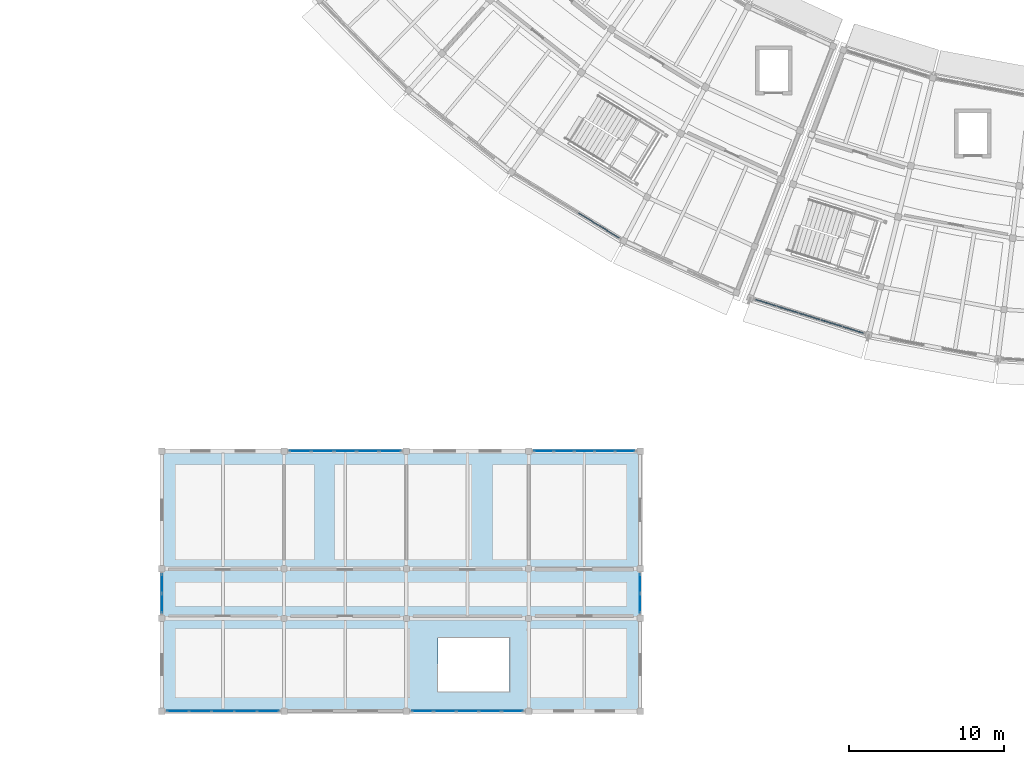
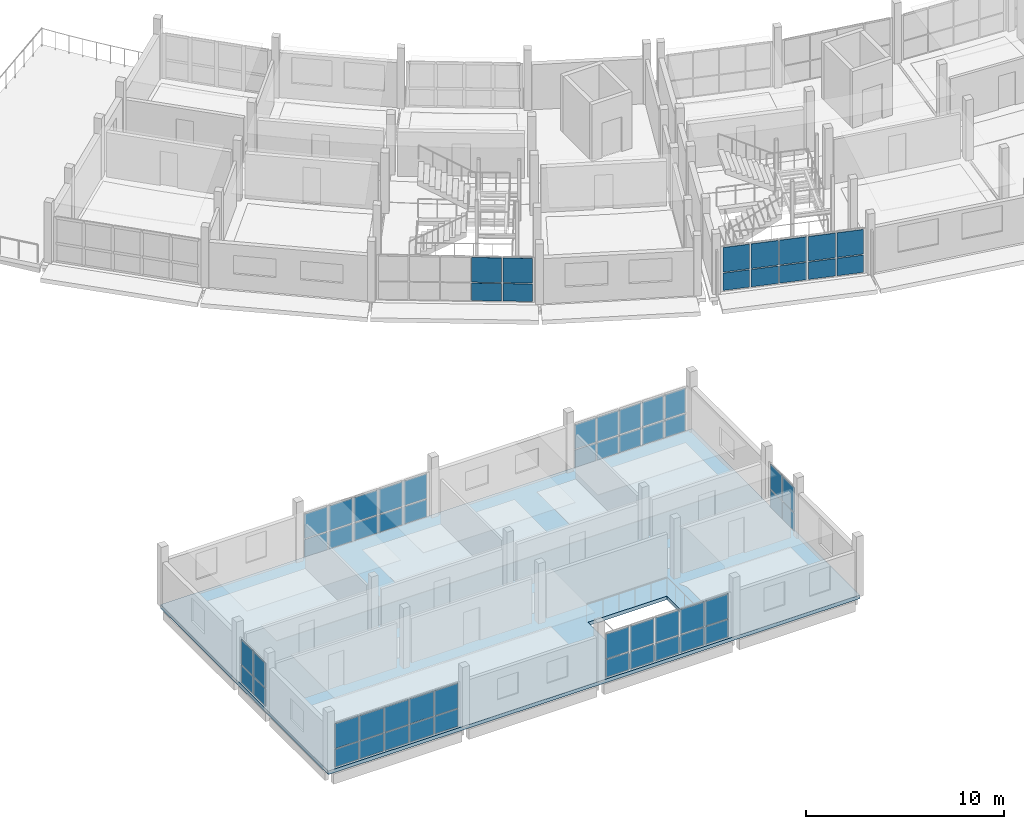
# One storey, part 41 of 66: 62 plates, 1 slab, 8 elements without a shape of their own.
"""IFC4 building model written with IfcOpenShell, lengths in metres."""

from ifc_helpers import new_model, si_unit, direction, frame, origin, origin_2d, place, context, subcontext, project, spatial, polyline, rectangle, outline, extrude, material, layer, layer_set, type_object, element, aggregate, save


model = new_model("IFC4")

# Units and contexts
model_context = context("Model", 3, precision=1e-05, world=origin(), true_north=direction((0.0, 1.0)))
body_context = subcontext(model_context, "Body", "Model", "MODEL_VIEW")
ifc_project = project(units=[si_unit("LENGTHUNIT", "METRE"), si_unit("AREAUNIT", "SQUARE_METRE"), si_unit("VOLUMEUNIT", "CUBIC_METRE"), si_unit("PLANEANGLEUNIT", "RADIAN"), si_unit("MASSUNIT", "GRAM", prefix="KILO")], contexts=[model_context])

# Site, building, storey
site_placement = place(None, origin())
site = spatial("IfcSite", under=ifc_project, at=site_placement, CompositionType="ELEMENT")
building_placement = place(site_placement, origin())
building = spatial("IfcBuilding", under=site, at=building_placement, Name="Caldaven Crescent School", CompositionType="ELEMENT")
storey_placement = place(building_placement, frame((0.0, 0.0, 8.159912109375)))
storey = spatial("IfcBuildingStorey", under=building, at=storey_placement, Name="L02", CompositionType="ELEMENT", Elevation=8.159912109375)

# Curtain wall, plates
ifc_material_1 = material(Name="Anodised aluminium AA 6063-T6 and low-E double glazing", Category="aluminium")
ifc_layer_1 = layer(ifc_material_1, 0.169921875)
ifc_layer_set_1 = layer_set([ifc_layer_1], Name="Anodised aluminium AA 6063-T6 and low-E double glazing")
curtain_wall_type_1 = type_object("IfcCurtainWallType", Name="CW-SYS1", PredefinedType="NOTDEFINED", material=ifc_layer_set_1)
curtain_wall_1_placement = place(storey_placement, origin())
curtain_wall_1 = element("IfcCurtainWall", 1, at=curtain_wall_1_placement, inside=storey, type_object=curtain_wall_type_1, Name="CW-L02-099", PredefinedType="NOTDEFINED")
ifc_material_2 = material(Name="Tempered low-E double glazing IGU", Category="glass")
ifc_layer_2 = layer(ifc_material_2, 0.031982421875)
ifc_layer_set_2 = layer_set([ifc_layer_2], Name="Tempered low-E double glazing IGU")
plate_type_1 = type_object("IfcPlateType", Name="PLT-CWP04", PredefinedType="CURTAIN_PANEL", material=ifc_layer_set_2)
plate_1_placement = place(storey_placement, frame((26.544921875, 4.199951171875, 0.06005859375), z_axis=(0.0, 0.0, 1.0), x_axis=(1.0, 0.0, 0.0)))
plate_1 = element("IfcPlate", 2, at=plate_1_placement, type_object=plate_type_1, Name="CW1 panel 1.1", PredefinedType="CURTAIN_PANEL", context=body_context, shape_type="SweptSolid", body=[
    extrude(rectangle(XDim=1.3701171875, YDim=0.031982421875, at=origin_2d()), origin(), (0.0, 0.0, 1.0), 1.077880859375),
])
plate_2_placement = place(storey_placement, frame((26.544921875, 4.199951171875, 1.197998046875), z_axis=(0.0, 0.0, 1.0), x_axis=(1.0, 0.0, 0.0)))
plate_2 = element("IfcPlate", 3, at=plate_2_placement, type_object=plate_type_1, Name="CW1 panel 1.2", PredefinedType="CURTAIN_PANEL", context=body_context, shape_type="SweptSolid", body=[
    extrude(rectangle(XDim=1.3701171875, YDim=0.031982421875, at=origin_2d()), origin(), (0.0, 0.0, 1.0), 1.52197265625),
])
plate_3_placement = place(storey_placement, frame((27.989990234375, 4.199951171875, 0.06005859375), z_axis=(0.0, 0.0, 1.0), x_axis=(1.0, 0.0, 0.0)))
plate_3 = element("IfcPlate", 4, at=plate_3_placement, type_object=plate_type_1, Name="CW1 panel 2.1", PredefinedType="CURTAIN_PANEL", context=body_context, shape_type="SweptSolid", body=[
    extrude(rectangle(XDim=1.39990234375, YDim=0.031982421875, at=origin_2d()), origin(), (0.0, 0.0, 1.0), 1.077880859375),
])
plate_4_placement = place(storey_placement, frame((27.989990234375, 4.199951171875, 1.197998046875), z_axis=(0.0, 0.0, 1.0), x_axis=(1.0, 0.0, 0.0)))
plate_4 = element("IfcPlate", 5, at=plate_4_placement, type_object=plate_type_1, Name="CW1 panel 2.2", PredefinedType="CURTAIN_PANEL", context=body_context, shape_type="SweptSolid", body=[
    extrude(rectangle(XDim=1.39990234375, YDim=0.031982421875, at=origin_2d()), origin(), (0.0, 0.0, 1.0), 1.52197265625),
])
plate_5_placement = place(storey_placement, frame((29.449951171875, 4.199951171875, 0.06005859375), z_axis=(0.0, 0.0, 1.0), x_axis=(1.0, 0.0, 0.0)))
plate_5 = element("IfcPlate", 6, at=plate_5_placement, type_object=plate_type_1, Name="CW1 panel 3.1", PredefinedType="CURTAIN_PANEL", context=body_context, shape_type="SweptSolid", body=[
    extrude(rectangle(XDim=1.39990234375, YDim=0.031982421875, at=origin_2d()), origin(), (0.0, 0.0, 1.0), 1.077880859375),
])
plate_6_placement = place(storey_placement, frame((29.449951171875, 4.199951171875, 1.197998046875), z_axis=(0.0, 0.0, 1.0), x_axis=(1.0, 0.0, 0.0)))
plate_6 = element("IfcPlate", 7, at=plate_6_placement, type_object=plate_type_1, Name="CW1 panel 3.2", PredefinedType="CURTAIN_PANEL", context=body_context, shape_type="SweptSolid", body=[
    extrude(rectangle(XDim=1.39990234375, YDim=0.031982421875, at=origin_2d()), origin(), (0.0, 0.0, 1.0), 1.52197265625),
])
plate_7_placement = place(storey_placement, frame((30.909912109375, 4.199951171875, 0.06005859375), z_axis=(0.0, 0.0, 1.0), x_axis=(1.0, 0.0, 0.0)))
plate_7 = element("IfcPlate", 8, at=plate_7_placement, type_object=plate_type_1, Name="CW1 panel 4.1", PredefinedType="CURTAIN_PANEL", context=body_context, shape_type="SweptSolid", body=[
    extrude(rectangle(XDim=1.39990234375, YDim=0.031982421875, at=origin_2d()), origin(), (0.0, 0.0, 1.0), 1.077880859375),
])
plate_8_placement = place(storey_placement, frame((30.909912109375, 4.199951171875, 1.197998046875), z_axis=(0.0, 0.0, 1.0), x_axis=(1.0, 0.0, 0.0)))
plate_8 = element("IfcPlate", 9, at=plate_8_placement, type_object=plate_type_1, Name="CW1 panel 4.2", PredefinedType="CURTAIN_PANEL", context=body_context, shape_type="SweptSolid", body=[
    extrude(rectangle(XDim=1.39990234375, YDim=0.031982421875, at=origin_2d()), origin(), (0.0, 0.0, 1.0), 1.52197265625),
])
plate_9_placement = place(storey_placement, frame((32.35498046875, 4.199951171875, 0.06005859375), z_axis=(0.0, 0.0, 1.0), x_axis=(1.0, 0.0, 0.0)))
plate_9 = element("IfcPlate", 10, at=plate_9_placement, type_object=plate_type_1, Name="CW1 panel 5.1", PredefinedType="CURTAIN_PANEL", context=body_context, shape_type="SweptSolid", body=[
    extrude(rectangle(XDim=1.3701171875, YDim=0.031982421875, at=origin_2d()), origin(), (0.0, 0.0, 1.0), 1.077880859375),
])
plate_10_placement = place(storey_placement, frame((32.35498046875, 4.199951171875, 1.197998046875), z_axis=(0.0, 0.0, 1.0), x_axis=(1.0, 0.0, 0.0)))
plate_10 = element("IfcPlate", 11, at=plate_10_placement, type_object=plate_type_1, Name="CW1 panel 5.2", PredefinedType="CURTAIN_PANEL", context=body_context, shape_type="SweptSolid", body=[
    extrude(rectangle(XDim=1.3701171875, YDim=0.031982421875, at=origin_2d()), origin(), (0.0, 0.0, 1.0), 1.52197265625),
])
aggregate(curtain_wall_1, [plate_1, plate_2, plate_3, plate_4, plate_5, plate_6, plate_7, plate_8, plate_9, plate_10])

ifc_layer_3 = layer(ifc_material_1, 0.2099609375)
ifc_layer_set_3 = layer_set([ifc_layer_3], Name="Anodised aluminium AA 6063-T6 and low-E double glazing")
curtain_wall_type_2 = type_object("IfcCurtainWallType", Name="CW-SYS3", PredefinedType="NOTDEFINED", material=ifc_layer_set_3)
curtain_wall_2_placement = place(storey_placement, origin())
curtain_wall_2 = element("IfcCurtainWall", 12, at=curtain_wall_2_placement, inside=storey, type_object=curtain_wall_type_2, Name="CW-L02-100", PredefinedType="NOTDEFINED")
ifc_layer_4 = layer(ifc_material_2, 0.033935546875)
ifc_layer_set_4 = layer_set([ifc_layer_4], Name="Tempered low-E double glazing IGU")
plate_type_2 = type_object("IfcPlateType", Name="PLT-CWP05", PredefinedType="CURTAIN_PANEL", material=ifc_layer_set_4)
plate_11_placement = place(storey_placement, frame((42.347412109375, 4.199951171875, 0.06494140625), z_axis=(0.0, 0.0, 1.0), x_axis=(1.0, 0.0, 0.0)))
plate_11 = element("IfcPlate", 13, at=plate_11_placement, type_object=plate_type_2, Name="CW3 panel 1.1", PredefinedType="CURTAIN_PANEL", context=body_context, shape_type="SweptSolid", body=[
    extrude(rectangle(XDim=1.35498046875, YDim=0.033935546875, at=origin_2d()), origin(), (0.0, 0.0, 1.0), 1.070556640625),
])
plate_12_placement = place(storey_placement, frame((42.347412109375, 4.199951171875, 1.20068359375), z_axis=(0.0, 0.0, 1.0), x_axis=(1.0, 0.0, 0.0)))
plate_12 = element("IfcPlate", 14, at=plate_12_placement, type_object=plate_type_2, Name="CW3 panel 1.2", PredefinedType="CURTAIN_PANEL", context=body_context, shape_type="SweptSolid", body=[
    extrude(rectangle(XDim=1.35498046875, YDim=0.033935546875, at=origin_2d()), origin(), (0.0, 0.0, 1.0), 1.514404296875),
])
plate_13_placement = place(storey_placement, frame((43.7900390625, 4.199951171875, 0.06494140625), z_axis=(0.0, 0.0, 1.0), x_axis=(1.0, 0.0, 0.0)))
plate_13 = element("IfcPlate", 15, at=plate_13_placement, type_object=plate_type_2, Name="CW3 panel 2.1", PredefinedType="CURTAIN_PANEL", context=body_context, shape_type="SweptSolid", body=[
    extrude(rectangle(XDim=1.389892578125, YDim=0.033935546875, at=origin_2d()), origin(), (0.0, 0.0, 1.0), 1.070556640625),
])
plate_14_placement = place(storey_placement, frame((43.7900390625, 4.199951171875, 1.20068359375), z_axis=(0.0, 0.0, 1.0), x_axis=(1.0, 0.0, 0.0)))
plate_14 = element("IfcPlate", 16, at=plate_14_placement, type_object=plate_type_2, Name="CW3 panel 2.2", PredefinedType="CURTAIN_PANEL", context=body_context, shape_type="SweptSolid", body=[
    extrude(rectangle(XDim=1.389892578125, YDim=0.033935546875, at=origin_2d()), origin(), (0.0, 0.0, 1.0), 1.514404296875),
])
plate_15_placement = place(storey_placement, frame((45.25, 4.199951171875, 0.06494140625), z_axis=(0.0, 0.0, 1.0), x_axis=(1.0, 0.0, 0.0)))
plate_15 = element("IfcPlate", 17, at=plate_15_placement, type_object=plate_type_2, Name="CW3 panel 3.1", PredefinedType="CURTAIN_PANEL", context=body_context, shape_type="SweptSolid", body=[
    extrude(rectangle(XDim=1.389892578125, YDim=0.033935546875, at=origin_2d()), origin(), (0.0, 0.0, 1.0), 1.070556640625),
])
plate_16_placement = place(storey_placement, frame((45.25, 4.199951171875, 1.20068359375), z_axis=(0.0, 0.0, 1.0), x_axis=(1.0, 0.0, 0.0)))
plate_16 = element("IfcPlate", 18, at=plate_16_placement, type_object=plate_type_2, Name="CW3 panel 3.2", PredefinedType="CURTAIN_PANEL", context=body_context, shape_type="SweptSolid", body=[
    extrude(rectangle(XDim=1.389892578125, YDim=0.033935546875, at=origin_2d()), origin(), (0.0, 0.0, 1.0), 1.514404296875),
])
plate_17_placement = place(storey_placement, frame((46.7099609375, 4.199951171875, 0.06494140625), z_axis=(0.0, 0.0, 1.0), x_axis=(1.0, 0.0, 0.0)))
plate_17 = element("IfcPlate", 19, at=plate_17_placement, type_object=plate_type_2, Name="CW3 panel 4.1", PredefinedType="CURTAIN_PANEL", context=body_context, shape_type="SweptSolid", body=[
    extrude(rectangle(XDim=1.389892578125, YDim=0.033935546875, at=origin_2d()), origin(), (0.0, 0.0, 1.0), 1.070556640625),
])
plate_18_placement = place(storey_placement, frame((46.7099609375, 4.199951171875, 1.20068359375), z_axis=(0.0, 0.0, 1.0), x_axis=(1.0, 0.0, 0.0)))
plate_18 = element("IfcPlate", 20, at=plate_18_placement, type_object=plate_type_2, Name="CW3 panel 4.2", PredefinedType="CURTAIN_PANEL", context=body_context, shape_type="SweptSolid", body=[
    extrude(rectangle(XDim=1.389892578125, YDim=0.033935546875, at=origin_2d()), origin(), (0.0, 0.0, 1.0), 1.514404296875),
])
plate_19_placement = place(storey_placement, frame((48.152587890625, 4.199951171875, 0.06494140625), z_axis=(0.0, 0.0, 1.0), x_axis=(1.0, 0.0, 0.0)))
plate_19 = element("IfcPlate", 21, at=plate_19_placement, type_object=plate_type_2, Name="CW3 panel 5.1", PredefinedType="CURTAIN_PANEL", context=body_context, shape_type="SweptSolid", body=[
    extrude(rectangle(XDim=1.35498046875, YDim=0.033935546875, at=origin_2d()), origin(), (0.0, 0.0, 1.0), 1.070556640625),
])
plate_20_placement = place(storey_placement, frame((48.152587890625, 4.199951171875, 1.20068359375), z_axis=(0.0, 0.0, 1.0), x_axis=(1.0, 0.0, 0.0)))
plate_20 = element("IfcPlate", 22, at=plate_20_placement, type_object=plate_type_2, Name="CW3 panel 5.2", PredefinedType="CURTAIN_PANEL", context=body_context, shape_type="SweptSolid", body=[
    extrude(rectangle(XDim=1.35498046875, YDim=0.033935546875, at=origin_2d()), origin(), (0.0, 0.0, 1.0), 1.514404296875),
])
aggregate(curtain_wall_2, [plate_11, plate_12, plate_13, plate_14, plate_15, plate_16, plate_17, plate_18, plate_19, plate_20])

curtain_wall_3_placement = place(storey_placement, origin())
curtain_wall_3 = element("IfcCurtainWall", 23, at=curtain_wall_3_placement, inside=storey, type_object=curtain_wall_type_2, Name="CW-L02-101", PredefinedType="NOTDEFINED")
ifc_layer_5 = layer(ifc_material_2, 0.035888671875)
ifc_layer_set_5 = layer_set([ifc_layer_5], Name="Tempered low-E double glazing IGU")
plate_type_3 = type_object("IfcPlateType", Name="PLT-CWP06", PredefinedType="CURTAIN_PANEL", material=ifc_layer_set_5)
plate_21_placement = place(storey_placement, frame((34.447509765625, 21.0, 0.06494140625), z_axis=(0.0, 0.0, 1.0), x_axis=(1.0, 0.0, 0.0)))
plate_21 = element("IfcPlate", 24, at=plate_21_placement, type_object=plate_type_3, Name="CW3 panel 1.1", PredefinedType="CURTAIN_PANEL", context=body_context, shape_type="SweptSolid", body=[
    extrude(rectangle(XDim=1.35498046875, YDim=0.035888671875, at=origin_2d()), origin(), (0.0, 0.0, 1.0), 1.070556640625),
])
plate_22_placement = place(storey_placement, frame((34.447509765625, 21.0, 1.20068359375), z_axis=(0.0, 0.0, 1.0), x_axis=(1.0, 0.0, 0.0)))
plate_22 = element("IfcPlate", 25, at=plate_22_placement, type_object=plate_type_3, Name="CW3 panel 1.2", PredefinedType="CURTAIN_PANEL", context=body_context, shape_type="SweptSolid", body=[
    extrude(rectangle(XDim=1.35498046875, YDim=0.035888671875, at=origin_2d()), origin(), (0.0, 0.0, 1.0), 1.514404296875),
])
plate_23_placement = place(storey_placement, frame((35.889892578125, 21.0, 0.06494140625), z_axis=(0.0, 0.0, 1.0), x_axis=(1.0, 0.0, 0.0)))
plate_23 = element("IfcPlate", 26, at=plate_23_placement, type_object=plate_type_3, Name="CW3 panel 2.1", PredefinedType="CURTAIN_PANEL", context=body_context, shape_type="SweptSolid", body=[
    extrude(rectangle(XDim=1.389892578125, YDim=0.035888671875, at=origin_2d()), origin(), (0.0, 0.0, 1.0), 1.070556640625),
])
plate_24_placement = place(storey_placement, frame((35.889892578125, 21.0, 1.20068359375), z_axis=(0.0, 0.0, 1.0), x_axis=(1.0, 0.0, 0.0)))
plate_24 = element("IfcPlate", 27, at=plate_24_placement, type_object=plate_type_3, Name="CW3 panel 2.2", PredefinedType="CURTAIN_PANEL", context=body_context, shape_type="SweptSolid", body=[
    extrude(rectangle(XDim=1.389892578125, YDim=0.035888671875, at=origin_2d()), origin(), (0.0, 0.0, 1.0), 1.514404296875),
])
plate_25_placement = place(storey_placement, frame((37.35009765625, 21.0, 0.06494140625), z_axis=(0.0, 0.0, 1.0), x_axis=(1.0, 0.0, 0.0)))
plate_25 = element("IfcPlate", 28, at=plate_25_placement, type_object=plate_type_3, Name="CW3 panel 3.1", PredefinedType="CURTAIN_PANEL", context=body_context, shape_type="SweptSolid", body=[
    extrude(rectangle(XDim=1.389892578125, YDim=0.035888671875, at=origin_2d()), origin(), (0.0, 0.0, 1.0), 1.070556640625),
])
plate_26_placement = place(storey_placement, frame((37.35009765625, 21.0, 1.20068359375), z_axis=(0.0, 0.0, 1.0), x_axis=(1.0, 0.0, 0.0)))
plate_26 = element("IfcPlate", 29, at=plate_26_placement, type_object=plate_type_3, Name="CW3 panel 3.2", PredefinedType="CURTAIN_PANEL", context=body_context, shape_type="SweptSolid", body=[
    extrude(rectangle(XDim=1.389892578125, YDim=0.035888671875, at=origin_2d()), origin(), (0.0, 0.0, 1.0), 1.514404296875),
])
plate_27_placement = place(storey_placement, frame((38.81005859375, 21.0, 0.06494140625), z_axis=(0.0, 0.0, 1.0), x_axis=(1.0, 0.0, 0.0)))
plate_27 = element("IfcPlate", 30, at=plate_27_placement, type_object=plate_type_3, Name="CW3 panel 4.1", PredefinedType="CURTAIN_PANEL", context=body_context, shape_type="SweptSolid", body=[
    extrude(rectangle(XDim=1.389892578125, YDim=0.035888671875, at=origin_2d()), origin(), (0.0, 0.0, 1.0), 1.070556640625),
])
plate_28_placement = place(storey_placement, frame((38.81005859375, 21.0, 1.20068359375), z_axis=(0.0, 0.0, 1.0), x_axis=(1.0, 0.0, 0.0)))
plate_28 = element("IfcPlate", 31, at=plate_28_placement, type_object=plate_type_3, Name="CW3 panel 4.2", PredefinedType="CURTAIN_PANEL", context=body_context, shape_type="SweptSolid", body=[
    extrude(rectangle(XDim=1.389892578125, YDim=0.035888671875, at=origin_2d()), origin(), (0.0, 0.0, 1.0), 1.514404296875),
])
plate_29_placement = place(storey_placement, frame((40.25244140625, 21.0, 0.06494140625), z_axis=(0.0, 0.0, 1.0), x_axis=(1.0, 0.0, 0.0)))
plate_29 = element("IfcPlate", 32, at=plate_29_placement, type_object=plate_type_3, Name="CW3 panel 5.1", PredefinedType="CURTAIN_PANEL", context=body_context, shape_type="SweptSolid", body=[
    extrude(rectangle(XDim=1.35498046875, YDim=0.035888671875, at=origin_2d()), origin(), (0.0, 0.0, 1.0), 1.070556640625),
])
plate_30_placement = place(storey_placement, frame((40.25244140625, 21.0, 1.20068359375), z_axis=(0.0, 0.0, 1.0), x_axis=(1.0, 0.0, 0.0)))
plate_30 = element("IfcPlate", 33, at=plate_30_placement, type_object=plate_type_3, Name="CW3 panel 5.2", PredefinedType="CURTAIN_PANEL", context=body_context, shape_type="SweptSolid", body=[
    extrude(rectangle(XDim=1.35498046875, YDim=0.035888671875, at=origin_2d()), origin(), (0.0, 0.0, 1.0), 1.514404296875),
])
aggregate(curtain_wall_3, [plate_21, plate_22, plate_23, plate_24, plate_25, plate_26, plate_27, plate_28, plate_29, plate_30])

curtain_wall_4_placement = place(storey_placement, origin())
curtain_wall_4 = element("IfcCurtainWall", 34, at=curtain_wall_4_placement, inside=storey, type_object=curtain_wall_type_1, Name="CW-L02-102", PredefinedType="NOTDEFINED")
ifc_layer_6 = layer(ifc_material_2, 0.0380859375)
ifc_layer_set_6 = layer_set([ifc_layer_6], Name="Tempered low-E double glazing IGU")
plate_type_4 = type_object("IfcPlateType", Name="PLT-CWP07", PredefinedType="CURTAIN_PANEL", material=ifc_layer_set_6)
plate_31_placement = place(storey_placement, frame((50.17626953125, 21.0, 0.070068359375), z_axis=(0.0, 0.0, 1.0), x_axis=(1.0, 0.0, 0.0)))
plate_31 = element("IfcPlate", 35, at=plate_31_placement, type_object=plate_type_4, Name="CW1 panel 1.1", PredefinedType="CURTAIN_PANEL", context=body_context, shape_type="SweptSolid", body=[
    extrude(rectangle(XDim=1.222412109375, YDim=0.0380859375, at=origin_2d()), origin(), (0.0, 0.0, 1.0), 1.06298828125),
])
plate_32_placement = place(storey_placement, frame((50.17626953125, 21.0, 1.203125), z_axis=(0.0, 0.0, 1.0), x_axis=(1.0, 0.0, 0.0)))
plate_32 = element("IfcPlate", 36, at=plate_32_placement, type_object=plate_type_4, Name="CW1 panel 1.2", PredefinedType="CURTAIN_PANEL", context=body_context, shape_type="SweptSolid", body=[
    extrude(rectangle(XDim=1.222412109375, YDim=0.0380859375, at=origin_2d()), origin(), (0.0, 0.0, 1.0), 1.507080078125),
])
plate_33_placement = place(storey_placement, frame((51.47998046875, 21.0, 0.070068359375), z_axis=(0.0, 0.0, 1.0), x_axis=(1.0, 0.0, 0.0)))
plate_33 = element("IfcPlate", 37, at=plate_33_placement, type_object=plate_type_4, Name="CW1 panel 2.1", PredefinedType="CURTAIN_PANEL", context=body_context, shape_type="SweptSolid", body=[
    extrude(rectangle(XDim=1.2548828125, YDim=0.0380859375, at=origin_2d()), origin(), (0.0, 0.0, 1.0), 1.06298828125),
])
plate_34_placement = place(storey_placement, frame((51.47998046875, 21.0, 1.203125), z_axis=(0.0, 0.0, 1.0), x_axis=(1.0, 0.0, 0.0)))
plate_34 = element("IfcPlate", 38, at=plate_34_placement, type_object=plate_type_4, Name="CW1 panel 2.2", PredefinedType="CURTAIN_PANEL", context=body_context, shape_type="SweptSolid", body=[
    extrude(rectangle(XDim=1.2548828125, YDim=0.0380859375, at=origin_2d()), origin(), (0.0, 0.0, 1.0), 1.507080078125),
])
plate_35_placement = place(storey_placement, frame((52.800048828125, 21.0, 0.070068359375), z_axis=(0.0, 0.0, 1.0), x_axis=(1.0, 0.0, 0.0)))
plate_35 = element("IfcPlate", 39, at=plate_35_placement, type_object=plate_type_4, Name="CW1 panel 3.1", PredefinedType="CURTAIN_PANEL", context=body_context, shape_type="SweptSolid", body=[
    extrude(rectangle(XDim=1.2548828125, YDim=0.0380859375, at=origin_2d()), origin(), (0.0, 0.0, 1.0), 1.06298828125),
])
plate_36_placement = place(storey_placement, frame((52.800048828125, 21.0, 1.203125), z_axis=(0.0, 0.0, 1.0), x_axis=(1.0, 0.0, 0.0)))
plate_36 = element("IfcPlate", 40, at=plate_36_placement, type_object=plate_type_4, Name="CW1 panel 3.2", PredefinedType="CURTAIN_PANEL", context=body_context, shape_type="SweptSolid", body=[
    extrude(rectangle(XDim=1.2548828125, YDim=0.0380859375, at=origin_2d()), origin(), (0.0, 0.0, 1.0), 1.507080078125),
])
plate_37_placement = place(storey_placement, frame((54.1201171875, 21.0, 0.070068359375), z_axis=(0.0, 0.0, 1.0), x_axis=(1.0, 0.0, 0.0)))
plate_37 = element("IfcPlate", 41, at=plate_37_placement, type_object=plate_type_4, Name="CW1 panel 4.1", PredefinedType="CURTAIN_PANEL", context=body_context, shape_type="SweptSolid", body=[
    extrude(rectangle(XDim=1.2548828125, YDim=0.0380859375, at=origin_2d()), origin(), (0.0, 0.0, 1.0), 1.06298828125),
])
plate_38_placement = place(storey_placement, frame((54.1201171875, 21.0, 1.203125), z_axis=(0.0, 0.0, 1.0), x_axis=(1.0, 0.0, 0.0)))
plate_38 = element("IfcPlate", 42, at=plate_38_placement, type_object=plate_type_4, Name="CW1 panel 4.2", PredefinedType="CURTAIN_PANEL", context=body_context, shape_type="SweptSolid", body=[
    extrude(rectangle(XDim=1.2548828125, YDim=0.0380859375, at=origin_2d()), origin(), (0.0, 0.0, 1.0), 1.507080078125),
])
plate_39_placement = place(storey_placement, frame((55.423828125, 21.0, 0.070068359375), z_axis=(0.0, 0.0, 1.0), x_axis=(1.0, 0.0, 0.0)))
plate_39 = element("IfcPlate", 43, at=plate_39_placement, type_object=plate_type_4, Name="CW1 panel 5.1", PredefinedType="CURTAIN_PANEL", context=body_context, shape_type="SweptSolid", body=[
    extrude(rectangle(XDim=1.222412109375, YDim=0.0380859375, at=origin_2d()), origin(), (0.0, 0.0, 1.0), 1.06298828125),
])
plate_40_placement = place(storey_placement, frame((55.423828125, 21.0, 1.203125), z_axis=(0.0, 0.0, 1.0), x_axis=(1.0, 0.0, 0.0)))
plate_40 = element("IfcPlate", 44, at=plate_40_placement, type_object=plate_type_4, Name="CW1 panel 5.2", PredefinedType="CURTAIN_PANEL", context=body_context, shape_type="SweptSolid", body=[
    extrude(rectangle(XDim=1.222412109375, YDim=0.0380859375, at=origin_2d()), origin(), (0.0, 0.0, 1.0), 1.507080078125),
])
aggregate(curtain_wall_4, [plate_31, plate_32, plate_33, plate_34, plate_35, plate_36, plate_37, plate_38, plate_39, plate_40])

curtain_wall_5_placement = place(storey_placement, origin())
curtain_wall_5 = element("IfcCurtainWall", 45, at=curtain_wall_5_placement, inside=storey, type_object=curtain_wall_type_2, Name="CW-L02-103", PredefinedType="NOTDEFINED")
ifc_layer_7 = layer(ifc_material_2, 0.0400390625)
ifc_layer_set_7 = layer_set([ifc_layer_7], Name="Tempered low-E double glazing IGU")
plate_type_5 = type_object("IfcPlateType", Name="PLT-CWP08", PredefinedType="CURTAIN_PANEL", material=ifc_layer_set_7)
plate_41_placement = place(storey_placement, frame((25.5, 11.16748046875, 0.06494140625), z_axis=(0.0, 0.0, 1.0), x_axis=(0.0, 1.0, 0.0)))
plate_41 = element("IfcPlate", 46, at=plate_41_placement, type_object=plate_type_5, Name="CW3 panel 1.1", PredefinedType="CURTAIN_PANEL", context=body_context, shape_type="SweptSolid", body=[
    extrude(rectangle(XDim=1.195068359375, YDim=0.0400390625, at=origin_2d()), origin(), (0.0, 0.0, 1.0), 1.070556640625),
])
plate_42_placement = place(storey_placement, frame((25.5, 11.16748046875, 1.20068359375), z_axis=(0.0, 0.0, 1.0), x_axis=(0.0, 1.0, 0.0)))
plate_42 = element("IfcPlate", 47, at=plate_42_placement, type_object=plate_type_5, Name="CW3 panel 1.2", PredefinedType="CURTAIN_PANEL", context=body_context, shape_type="SweptSolid", body=[
    extrude(rectangle(XDim=1.195068359375, YDim=0.0400390625, at=origin_2d()), origin(), (0.0, 0.0, 1.0), 1.514404296875),
])
plate_43_placement = place(storey_placement, frame((25.5, 12.4326171875, 0.06494140625), z_axis=(0.0, 0.0, 1.0), x_axis=(0.0, 1.0, 0.0)))
plate_43 = element("IfcPlate", 48, at=plate_43_placement, type_object=plate_type_5, Name="CW3 panel 2.1", PredefinedType="CURTAIN_PANEL", context=body_context, shape_type="SweptSolid", body=[
    extrude(rectangle(XDim=1.195068359375, YDim=0.0400390625, at=origin_2d()), origin(), (0.0, 0.0, 1.0), 1.070556640625),
])
plate_44_placement = place(storey_placement, frame((25.5, 12.4326171875, 1.20068359375), z_axis=(0.0, 0.0, 1.0), x_axis=(0.0, 1.0, 0.0)))
plate_44 = element("IfcPlate", 49, at=plate_44_placement, type_object=plate_type_5, Name="CW3 panel 2.2", PredefinedType="CURTAIN_PANEL", context=body_context, shape_type="SweptSolid", body=[
    extrude(rectangle(XDim=1.195068359375, YDim=0.0400390625, at=origin_2d()), origin(), (0.0, 0.0, 1.0), 1.514404296875),
])
aggregate(curtain_wall_5, [plate_41, plate_42, plate_43, plate_44])

curtain_wall_6_placement = place(storey_placement, origin())
curtain_wall_6 = element("IfcCurtainWall", 50, at=curtain_wall_6_placement, inside=storey, type_object=curtain_wall_type_2, Name="CW-L02-104", PredefinedType="NOTDEFINED")
ifc_layer_8 = layer(ifc_material_2, 0.0419921875)
ifc_layer_set_8 = layer_set([ifc_layer_8], Name="Tempered low-E double glazing IGU")
plate_type_6 = type_object("IfcPlateType", Name="PLT-CWP09", PredefinedType="CURTAIN_PANEL", material=ifc_layer_set_8)
plate_45_placement = place(storey_placement, frame((56.39990234375, 11.16748046875, 0.06494140625), z_axis=(0.0, 0.0, 1.0), x_axis=(0.0, 1.0, 0.0)))
plate_45 = element("IfcPlate", 51, at=plate_45_placement, type_object=plate_type_6, Name="CW3 panel 1.1", PredefinedType="CURTAIN_PANEL", context=body_context, shape_type="SweptSolid", body=[
    extrude(rectangle(XDim=1.195068359375, YDim=0.0419921875, at=origin_2d()), origin(), (0.0, 0.0, 1.0), 1.070556640625),
])
plate_46_placement = place(storey_placement, frame((56.39990234375, 11.16748046875, 1.20068359375), z_axis=(0.0, 0.0, 1.0), x_axis=(0.0, 1.0, 0.0)))
plate_46 = element("IfcPlate", 52, at=plate_46_placement, type_object=plate_type_6, Name="CW3 panel 1.2", PredefinedType="CURTAIN_PANEL", context=body_context, shape_type="SweptSolid", body=[
    extrude(rectangle(XDim=1.195068359375, YDim=0.0419921875, at=origin_2d()), origin(), (0.0, 0.0, 1.0), 1.514404296875),
])
plate_47_placement = place(storey_placement, frame((56.39990234375, 12.4326171875, 0.06494140625), z_axis=(0.0, 0.0, 1.0), x_axis=(0.0, 1.0, 0.0)))
plate_47 = element("IfcPlate", 53, at=plate_47_placement, type_object=plate_type_6, Name="CW3 panel 2.1", PredefinedType="CURTAIN_PANEL", context=body_context, shape_type="SweptSolid", body=[
    extrude(rectangle(XDim=1.195068359375, YDim=0.0419921875, at=origin_2d()), origin(), (0.0, 0.0, 1.0), 1.070556640625),
])
plate_48_placement = place(storey_placement, frame((56.39990234375, 12.4326171875, 1.20068359375), z_axis=(0.0, 0.0, 1.0), x_axis=(0.0, 1.0, 0.0)))
plate_48 = element("IfcPlate", 54, at=plate_48_placement, type_object=plate_type_6, Name="CW3 panel 2.2", PredefinedType="CURTAIN_PANEL", context=body_context, shape_type="SweptSolid", body=[
    extrude(rectangle(XDim=1.195068359375, YDim=0.0419921875, at=origin_2d()), origin(), (0.0, 0.0, 1.0), 1.514404296875),
])
aggregate(curtain_wall_6, [plate_45, plate_46, plate_47, plate_48])

curtain_wall_7_placement = place(storey_placement, origin())
curtain_wall_7 = element("IfcCurtainWall", 55, at=curtain_wall_7_placement, inside=storey, type_object=curtain_wall_type_2, Name="CW-L02-139", PredefinedType="NOTDEFINED")
ifc_material_3 = material(Name="Insulated bronze aluminium spandrel panel", Category="aluminium")
ifc_layer_9 = layer(ifc_material_3, 0.06396484375)
ifc_layer_set_9 = layer_set([ifc_layer_9], Name="Insulated bronze aluminium spandrel panel")
plate_type_7 = type_object("IfcPlateType", Name="PLT-CWP20", PredefinedType="CURTAIN_PANEL", material=ifc_layer_set_9)
plate_49_placement = place(storey_placement, frame((53.07373046875, 35.98486328125, 0.06005859375), z_axis=(0.0, 0.0, 1.0), x_axis=(0.852639676124, -0.522499361435, 0.0)))
plate_49 = element("IfcPlate", 56, at=plate_49_placement, type_object=plate_type_7, Name="CW3 panel 4.1", PredefinedType="CURTAIN_PANEL", context=body_context, shape_type="SweptSolid", body=[
    extrude(rectangle(XDim=1.518310546875, YDim=0.06396484375, at=origin_2d()), origin(), (0.0, 0.0, 1.0), 1.077880859375),
])
plate_50_placement = place(storey_placement, frame((53.07373046875, 35.98486328125, 1.197998046875), z_axis=(0.0, 0.0, 1.0), x_axis=(0.852639676124, -0.522499361435, 0.0)))
plate_50 = element("IfcPlate", 57, at=plate_50_placement, type_object=plate_type_7, Name="CW3 panel 4.2", PredefinedType="CURTAIN_PANEL", context=body_context, shape_type="SweptSolid", body=[
    extrude(rectangle(XDim=1.518310546875, YDim=0.06396484375, at=origin_2d()), origin(), (0.0, 0.0, 1.0), 1.52197265625),
])
plate_51_placement = place(storey_placement, frame((54.40673828125, 35.16796875, 0.06005859375), z_axis=(0.0, 0.0, 1.0), x_axis=(0.852639676124, -0.522499361435, 0.0)))
plate_51 = element("IfcPlate", 58, at=plate_51_placement, type_object=plate_type_7, Name="CW3 panel 5.1", PredefinedType="CURTAIN_PANEL", context=body_context, shape_type="SweptSolid", body=[
    extrude(rectangle(XDim=1.48828125, YDim=0.06396484375, at=origin_2d()), origin(), (0.0, 0.0, 1.0), 1.077880859375),
])
plate_52_placement = place(storey_placement, frame((54.40673828125, 35.16796875, 1.197998046875), z_axis=(0.0, 0.0, 1.0), x_axis=(0.852639676124, -0.522499361435, 0.0)))
plate_52 = element("IfcPlate", 59, at=plate_52_placement, type_object=plate_type_7, Name="CW3 panel 5.2", PredefinedType="CURTAIN_PANEL", context=body_context, shape_type="SweptSolid", body=[
    extrude(rectangle(XDim=1.48828125, YDim=0.06396484375, at=origin_2d()), origin(), (0.0, 0.0, 1.0), 1.52197265625),
])
aggregate(curtain_wall_7, [plate_49, plate_50, plate_51, plate_52])

curtain_wall_8_placement = place(storey_placement, origin())
curtain_wall_8 = element("IfcCurtainWall", 60, at=curtain_wall_8_placement, inside=storey, type_object=curtain_wall_type_1, Name="CW-L02-141", PredefinedType="NOTDEFINED")
ifc_layer_10 = layer(ifc_material_3, 0.068115234375)
ifc_layer_set_10 = layer_set([ifc_layer_10], Name="Insulated bronze aluminium spandrel panel")
plate_type_8 = type_object("IfcPlateType", Name="PLT-CWP22", PredefinedType="CURTAIN_PANEL", material=ifc_layer_set_10)
plate_53_placement = place(storey_placement, frame((64.5341796875, 30.58447265625, 0.06494140625), z_axis=(0.0, 0.0, 1.0), x_axis=(0.954746673802, -0.297420222689, 0.0)))
plate_53 = element("IfcPlate", 61, at=plate_53_placement, type_object=plate_type_8, Name="CW1 panel 1.1", PredefinedType="CURTAIN_PANEL", context=body_context, shape_type="SweptSolid", body=[
    extrude(rectangle(XDim=1.377685546875, YDim=0.068115234375, at=origin_2d()), origin(), (0.0, 0.0, 1.0), 1.070556640625),
])
plate_54_placement = place(storey_placement, frame((64.5341796875, 30.58447265625, 1.20068359375), z_axis=(0.0, 0.0, 1.0), x_axis=(0.954746673802, -0.297420222689, 0.0)))
plate_54 = element("IfcPlate", 62, at=plate_54_placement, type_object=plate_type_8, Name="CW1 panel 1.2", PredefinedType="CURTAIN_PANEL", context=body_context, shape_type="SweptSolid", body=[
    extrude(rectangle(XDim=1.377685546875, YDim=0.068115234375, at=origin_2d()), origin(), (0.0, 0.0, 1.0), 1.514404296875),
])
plate_55_placement = place(storey_placement, frame((65.93310546875, 30.148681640625, 0.06494140625), z_axis=(0.0, 0.0, 1.0), x_axis=(0.954746673802, -0.297420222689, 0.0)))
plate_55 = element("IfcPlate", 63, at=plate_55_placement, type_object=plate_type_8, Name="CW1 panel 2.1", PredefinedType="CURTAIN_PANEL", context=body_context, shape_type="SweptSolid", body=[
    extrude(rectangle(XDim=1.412841796875, YDim=0.068115234375, at=origin_2d()), origin(), (0.0, 0.0, 1.0), 1.070556640625),
])
plate_56_placement = place(storey_placement, frame((65.93310546875, 30.148681640625, 1.20068359375), z_axis=(0.0, 0.0, 1.0), x_axis=(0.954746673802, -0.297420222689, 0.0)))
plate_56 = element("IfcPlate", 64, at=plate_56_placement, type_object=plate_type_8, Name="CW1 panel 2.2", PredefinedType="CURTAIN_PANEL", context=body_context, shape_type="SweptSolid", body=[
    extrude(rectangle(XDim=1.412841796875, YDim=0.068115234375, at=origin_2d()), origin(), (0.0, 0.0, 1.0), 1.514404296875),
])
plate_57_placement = place(storey_placement, frame((67.3486328125, 29.707763671875, 0.06494140625), z_axis=(0.0, 0.0, 1.0), x_axis=(0.954746673802, -0.297420222689, 0.0)))
plate_57 = element("IfcPlate", 65, at=plate_57_placement, type_object=plate_type_8, Name="CW1 panel 3.1", PredefinedType="CURTAIN_PANEL", context=body_context, shape_type="SweptSolid", body=[
    extrude(rectangle(XDim=1.412841796875, YDim=0.068115234375, at=origin_2d()), origin(), (0.0, 0.0, 1.0), 1.070556640625),
])
plate_58_placement = place(storey_placement, frame((67.3486328125, 29.707763671875, 1.20068359375), z_axis=(0.0, 0.0, 1.0), x_axis=(0.954746673802, -0.297420222689, 0.0)))
plate_58 = element("IfcPlate", 66, at=plate_58_placement, type_object=plate_type_8, Name="CW1 panel 3.2", PredefinedType="CURTAIN_PANEL", context=body_context, shape_type="SweptSolid", body=[
    extrude(rectangle(XDim=1.412841796875, YDim=0.068115234375, at=origin_2d()), origin(), (0.0, 0.0, 1.0), 1.514404296875),
])
plate_59_placement = place(storey_placement, frame((68.764404296875, 29.2666015625, 0.06494140625), z_axis=(0.0, 0.0, 1.0), x_axis=(0.954746673802, -0.297420222689, 0.0)))
plate_59 = element("IfcPlate", 67, at=plate_59_placement, type_object=plate_type_8, Name="CW1 panel 4.1", PredefinedType="CURTAIN_PANEL", context=body_context, shape_type="SweptSolid", body=[
    extrude(rectangle(XDim=1.412841796875, YDim=0.068115234375, at=origin_2d()), origin(), (0.0, 0.0, 1.0), 1.070556640625),
])
plate_60_placement = place(storey_placement, frame((68.764404296875, 29.2666015625, 1.20068359375), z_axis=(0.0, 0.0, 1.0), x_axis=(0.954746673802, -0.297420222689, 0.0)))
plate_60 = element("IfcPlate", 68, at=plate_60_placement, type_object=plate_type_8, Name="CW1 panel 4.2", PredefinedType="CURTAIN_PANEL", context=body_context, shape_type="SweptSolid", body=[
    extrude(rectangle(XDim=1.412841796875, YDim=0.068115234375, at=origin_2d()), origin(), (0.0, 0.0, 1.0), 1.514404296875),
])
plate_61_placement = place(storey_placement, frame((70.163330078125, 28.830810546875, 0.06494140625), z_axis=(0.0, 0.0, 1.0), x_axis=(0.954746673802, -0.297420222689, 0.0)))
plate_61 = element("IfcPlate", 69, at=plate_61_placement, type_object=plate_type_8, Name="CW1 panel 5.1", PredefinedType="CURTAIN_PANEL", context=body_context, shape_type="SweptSolid", body=[
    extrude(rectangle(XDim=1.377685546875, YDim=0.068115234375, at=origin_2d()), origin(), (0.0, 0.0, 1.0), 1.070556640625),
])
plate_62_placement = place(storey_placement, frame((70.163330078125, 28.830810546875, 1.20068359375), z_axis=(0.0, 0.0, 1.0), x_axis=(0.954746673802, -0.297420222689, 0.0)))
plate_62 = element("IfcPlate", 70, at=plate_62_placement, type_object=plate_type_8, Name="CW1 panel 5.2", PredefinedType="CURTAIN_PANEL", context=body_context, shape_type="SweptSolid", body=[
    extrude(rectangle(XDim=1.377685546875, YDim=0.068115234375, at=origin_2d()), origin(), (0.0, 0.0, 1.0), 1.514404296875),
])
aggregate(curtain_wall_8, [plate_53, plate_54, plate_55, plate_56, plate_57, plate_58, plate_59, plate_60, plate_61, plate_62])

# Slab
ifc_material_4 = material(Name="Cross-laminated timber CLT C24", Category="wood")
ifc_layer_11 = layer(ifc_material_4, 0.219970703125)
ifc_layer_set_11 = layer_set([ifc_layer_11], Name="Cross-laminated timber CLT C24")
slab_type = type_object("IfcSlabType", Name="SLB-FS2", PredefinedType="FLOOR", material=ifc_layer_set_11)
slab_placement = place(storey_placement, frame((0.0, 0.0, -0.219970703125)))
element("IfcSlab", 71, at=slab_placement, inside=storey, type_object=slab_type, Name="SLB-V4S-L02", PredefinedType="FLOOR", context=body_context, shape_type="SweptSolid", body=[
    extrude(outline(polyline([(25.419921875, 4.1201171875), (56.47998046875, 4.1201171875), (56.47998046875, 21.080078125), (25.419921875, 21.080078125), (25.419921875, 4.1201171875)]), holes=[polyline([(43.35791015625, 5.47998046875), (43.35791015625, 8.919921875), (47.969970703125, 8.919921875), (47.969970703125, 5.47998046875), (43.35791015625, 5.47998046875)])]), origin(), (0.0, 0.0, 1.0), 0.219970703125),
])

save(model, "model.ifc")
